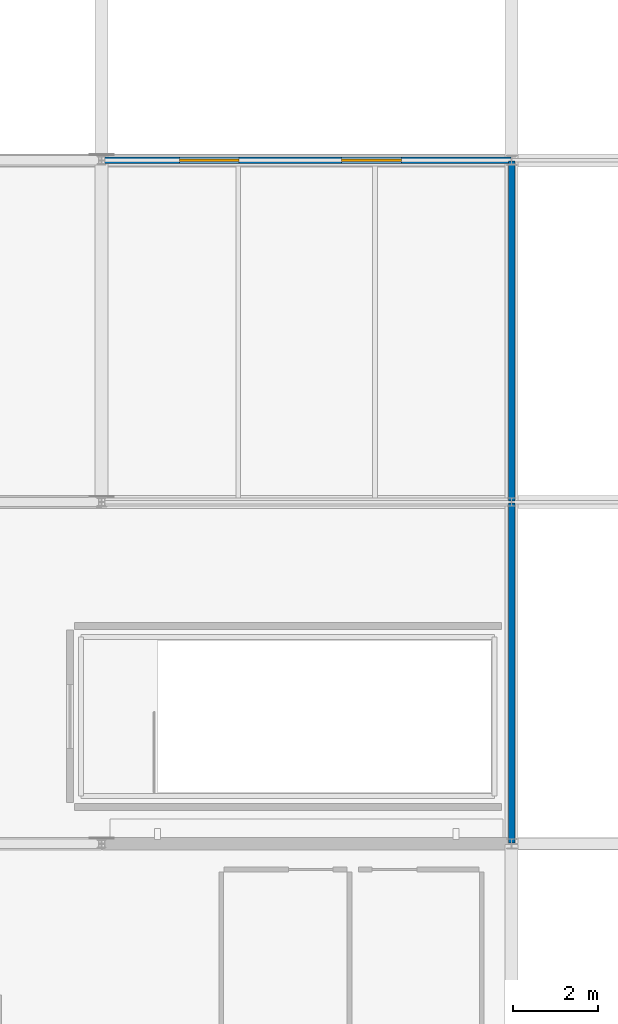
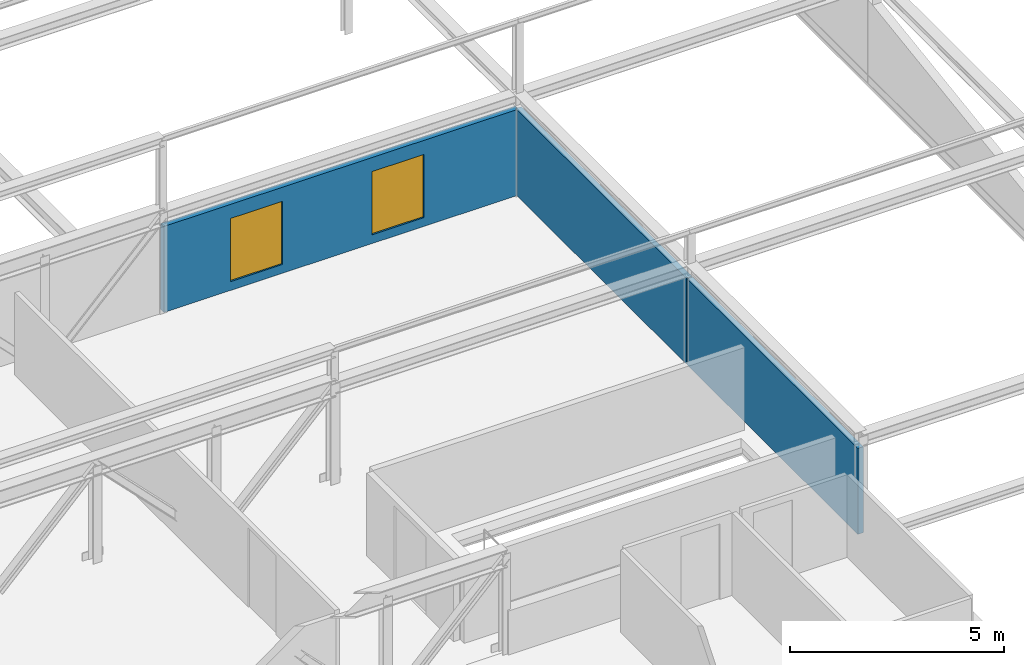
# One storey, part 33 of 34: 3 walls, 2 windows, 2 openings.
"""IFC4 building model written with IfcOpenShell, lengths in metres."""

from ifc_helpers import new_model, si_unit, direction, frame, frame_2d, origin, place, context, subcontext, project, spatial, rectangle, extrude, material, layer, layer_set, type_object, element, fill, save


model = new_model("IFC4")

# Units and contexts
model_context = context("Model", 3, precision=1e-05, world=origin(), true_north=direction((0.0, 1.0)))
body_context = subcontext(model_context, "Body", "Model", "MODEL_VIEW")
ifc_project = project(units=[si_unit("LENGTHUNIT", "METRE"), si_unit("AREAUNIT", "SQUARE_METRE"), si_unit("VOLUMEUNIT", "CUBIC_METRE"), si_unit("PLANEANGLEUNIT", "RADIAN"), si_unit("MASSUNIT", "GRAM", prefix="KILO")], contexts=[model_context])

# Site, building, storey
site_placement = place(None, origin())
site = spatial("IfcSite", under=ifc_project, at=site_placement, CompositionType="ELEMENT")
building_placement = place(site_placement, origin())
building = spatial("IfcBuilding", under=site, at=building_placement, Name="Alderhovde Museum", CompositionType="ELEMENT")
storey_placement = place(building_placement, frame((0.0, 0.0, 25.800048828125)))
storey = spatial("IfcBuildingStorey", under=building, at=storey_placement, Name="L05", CompositionType="ELEMENT", Elevation=25.800048828125)

# Wall, openings, windows
ifc_material_1 = material(Name="Limestone Ashlar Rainscreen Wall", Category="masonry")
ifc_layer = layer(ifc_material_1, 0.14990234375)
ifc_layer_set = layer_set([ifc_layer], Name="Limestone Ashlar Rainscreen Wall")
wall_type = type_object("IfcWallType", Name="EW-LIME-340", PredefinedType="SOLIDWALL", material=ifc_layer_set)
wall_placement = place(storey_placement, frame((28.820068359375, 96.0, 0.0), z_axis=(0.0, 0.0, 1.0), x_axis=(1.0, 0.0, 0.0)))
wall = element("IfcWall", 1, at=wall_placement, inside=storey, type_object=wall_type, Name="L05 L05 Curatorial Library North Wall 168", PredefinedType="SOLIDWALL", context=body_context, shape_type="SweptSolid", body=[
    extrude(rectangle(XDim=9.559814453125, YDim=0.14990234375, at=frame_2d((4.77978515625, 0.0))), origin(), (0.0, 0.0, 1.0), 2.449951171875),
])
opening_1_placement = place(wall_placement, frame((1.800048828125, 0.0, 0.25)))
opening_1 = element("IfcOpeningElement", 2, at=opening_1_placement, cuts=wall, Name="Opening W11", PredefinedType="OPENING", context=body_context, shape_type="SweptSolid", body=[
    extrude(rectangle(XDim=1.39990234375, YDim=1.800048828125, at=frame_2d((0.699951171875, 0.89990234375))), frame((0.0, 0.0849609375, 0.0), z_axis=(0.0, -1.0, 0.0), x_axis=(1.0, 0.0, 0.0)), (0.0, 0.0, 1.0), 0.169921875),
])
opening_2_placement = place(wall_placement, frame((5.60009765625, 0.0, 0.25)))
opening_2 = element("IfcOpeningElement", 3, at=opening_2_placement, cuts=wall, Name="Opening W11", PredefinedType="OPENING", context=body_context, shape_type="SweptSolid", body=[
    extrude(rectangle(XDim=1.39990234375, YDim=1.800048828125, at=frame_2d((0.699951171875, 0.89990234375))), frame((0.0, 0.0849609375, 0.0), z_axis=(0.0, -1.0, 0.0), x_axis=(1.0, 0.0, 0.0)), (0.0, 0.0, 1.0), 0.169921875),
])
ifc_material_2 = material(Name="Triple-Glazed Low-E Bronze-Anodised Aluminium", Category="aluminium")
window_type = type_object("IfcWindowType", Name="WIN-ATT-1400x1800", PartitioningType="SINGLE_PANEL", PredefinedType="WINDOW", material=ifc_material_2)
window_1_placement = place(opening_1_placement, origin())
window_1 = element("IfcWindow", 4, at=window_1_placement, inside=storey, type_object=window_type, Name="L05 Facade Window 145", OverallHeight=1.800048828125, OverallWidth=1.39990234375, PartitioningType="SINGLE_PANEL", PredefinedType="WINDOW", context=body_context, shape_type="SweptSolid", body=[
    extrude(rectangle(XDim=1.39990234375, YDim=1.800048828125, at=frame_2d((0.699951171875, 0.89990234375))), frame((0.0, 0.030029296875, 0.0), z_axis=(0.0, -1.0, 0.0), x_axis=(1.0, 0.0, 0.0)), (0.0, 0.0, 1.0), 0.06005859375),
])
fill(opening_1, window_1)
window_2_placement = place(opening_2_placement, origin())
window_2 = element("IfcWindow", 5, at=window_2_placement, inside=storey, type_object=window_type, Name="L05 Facade Window 146", OverallHeight=1.800048828125, OverallWidth=1.39990234375, PartitioningType="SINGLE_PANEL", PredefinedType="WINDOW", context=body_context, shape_type="SweptSolid", body=[
    extrude(rectangle(XDim=1.39990234375, YDim=1.800048828125, at=frame_2d((0.699951171875, 0.89990234375))), frame((0.0, 0.030029296875, 0.0), z_axis=(0.0, -1.0, 0.0), x_axis=(1.0, 0.0, 0.0)), (0.0, 0.0, 1.0), 0.06005859375),
])
fill(opening_2, window_2)

# Walls
for number, where, z_axis, x_axis, name in (
    (6, (38.39990234375, 80.02001953125, 0.0), (0.0, 0.0, 1.0), (0.0, 1.0, 0.0), "L05 L05 Library East Wall 170"),
    (7, (38.39990234375, 88.02001953125, 0.0), (0.0, 0.0, 1.0), (0.0, 1.0, 0.0), "L05 L05 Library East Wall 172"),
):
    element("IfcWall", number, at=place(storey_placement, frame(where, z_axis=z_axis, x_axis=x_axis)), inside=storey, type_object=wall_type, Name=name, PredefinedType="SOLIDWALL", context=body_context, shape_type="SweptSolid", body=[
        extrude(rectangle(XDim=7.9599609375, YDim=0.14990234375, at=frame_2d((3.97998046875, 0.0))), origin(), (0.0, 0.0, 1.0), 2.449951171875),
    ])

save(model, "model.ifc")
